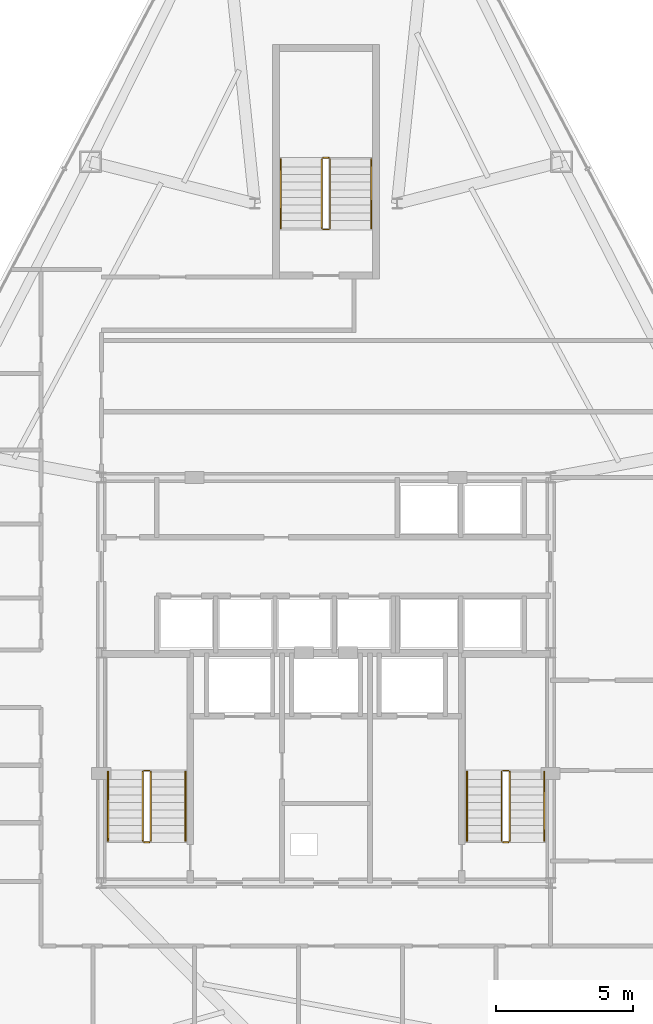
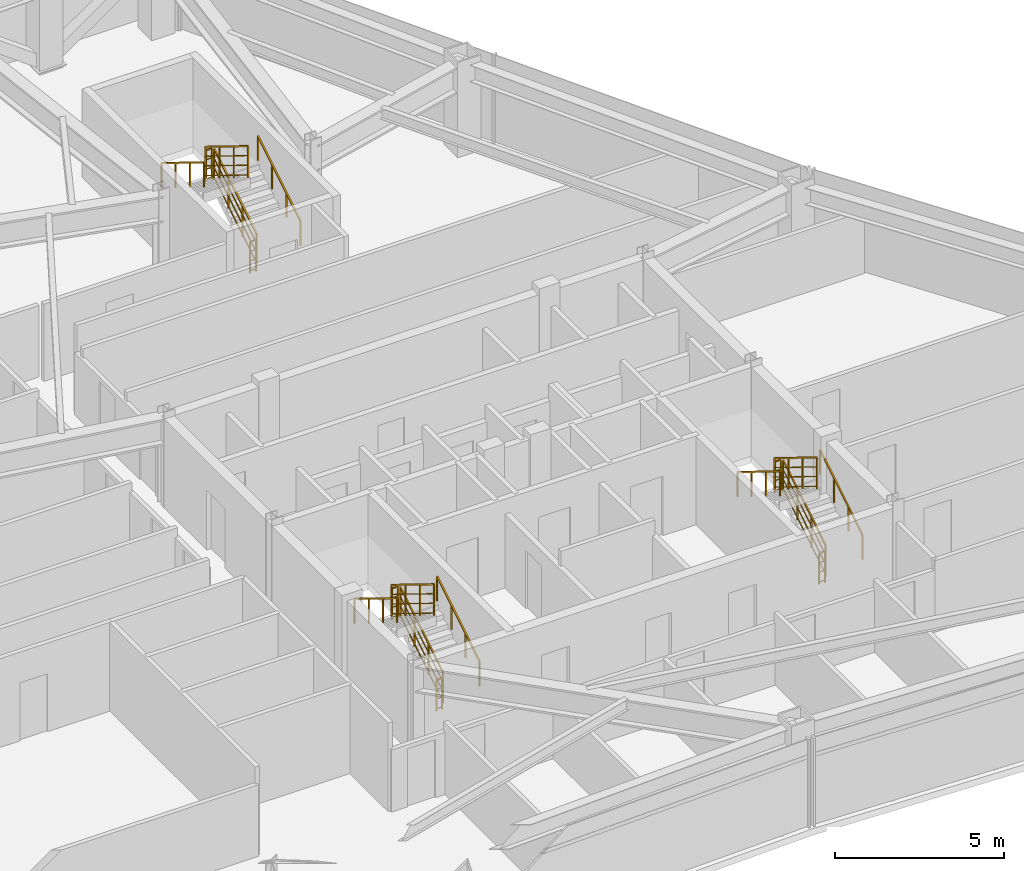
# One storey, part 13 of 13: 18 railings.
"""IFC4 building model written with IfcOpenShell, lengths in metres."""

from ifc_helpers import new_model, si_unit, direction, frame, origin, origin_2d, place, context, subcontext, project, spatial, rectangle, extrude, material, type_object, element, save


model = new_model("IFC4")

# Units and contexts
model_context = context("Model", 3, precision=1e-05, world=origin(), true_north=direction((0.0, 1.0)))
body_context = subcontext(model_context, "Body", "Model", "MODEL_VIEW")
ifc_project = project(units=[si_unit("LENGTHUNIT", "METRE"), si_unit("AREAUNIT", "SQUARE_METRE"), si_unit("VOLUMEUNIT", "CUBIC_METRE"), si_unit("PLANEANGLEUNIT", "RADIAN"), si_unit("MASSUNIT", "GRAM", prefix="KILO")], contexts=[model_context])

# Site, building, storey
site_placement = place(None, origin())
site = spatial("IfcSite", under=ifc_project, at=site_placement, CompositionType="ELEMENT")
building_placement = place(site_placement, origin())
building = spatial("IfcBuilding", under=site, at=building_placement, Name="Varakhsha Concourse Tower", CompositionType="ELEMENT")
storey_placement = place(building_placement, frame((0.0, 0.0, 172.35009765625)))
storey = spatial("IfcBuildingStorey", under=building, at=storey_placement, Name="L49", CompositionType="ELEMENT", Elevation=172.35009765625)

# Railings
ifc_material = material(Name="Brushed Austenitic Stainless Steel AISI 316", Category="steel")
railing_type_1 = type_object("IfcRailingType", Name="RL-STAIR-GUARD-1100", PredefinedType="GUARDRAIL", material=ifc_material)
railing_1_placement = place(storey_placement, frame((33.610107421875, 17.93994140625, 0.17236328125)))
element("IfcRailing", 1, at=railing_1_placement, inside=storey, type_object=railing_type_1, Name="L49 ST1 stair guard 1", PredefinedType="GUARDRAIL", context=body_context, shape_type="SweptSolid", body=[
    extrude(rectangle(XDim=0.048095703125, YDim=0.048095703125, at=origin_2d()), frame((0.0, 0.0, 1.1259765625), z_axis=(0.0, 0.851400495292, 0.524516154772), x_axis=(-1.0, 0.0, 0.0)), (0.0, 0.0, 1.0), 2.9599609375),
    extrude(rectangle(XDim=0.028076171875, YDim=0.028076171875, at=origin_2d()), frame((0.0, 0.0, 0.080078125), z_axis=(0.0, 0.851400495292, 0.524516154772), x_axis=(-1.0, 0.0, 0.0)), (0.0, 0.0, 1.0), 2.9599609375),
    extrude(rectangle(XDim=0.028076171875, YDim=0.028076171875, at=origin_2d()), frame((0.0, 0.0, 0.43701171875), z_axis=(0.0, 0.851400495292, 0.524516154772), x_axis=(-1.0, 0.0, 0.0)), (0.0, 0.0, 1.0), 2.9599609375),
    extrude(rectangle(XDim=0.028076171875, YDim=0.028076171875, at=origin_2d()), frame((0.0, 0.0, 0.781982421875), z_axis=(0.0, 0.851400495292, 0.524516154772), x_axis=(-1.0, 0.0, 0.0)), (0.0, 0.0, 1.0), 2.9599609375),
    extrude(rectangle(XDim=0.0419921875, YDim=0.0419921875, at=origin_2d()), origin(), (0.0, 0.0, 1.0), 1.101806640625),
    extrude(rectangle(XDim=0.0419921875, YDim=0.0419921875, at=origin_2d()), frame((0.0, 0.840087890625, 0.517578125)), (0.0, 0.0, 1.0), 1.101806640625),
    extrude(rectangle(XDim=0.0419921875, YDim=0.0419921875, at=origin_2d()), frame((0.0, 1.679931640625, 1.034912109375)), (0.0, 0.0, 1.0), 1.101806640625),
    extrude(rectangle(XDim=0.0419921875, YDim=0.0419921875, at=origin_2d()), frame((0.0, 2.52001953125, 1.552490234375)), (0.0, 0.0, 1.0), 1.101806640625),
])
railing_2_placement = place(storey_placement, frame((33.56005859375, 20.510009765625, 1.724853515625)))
element("IfcRailing", 2, at=railing_2_placement, inside=storey, type_object=railing_type_1, Name="L49 ST1 stair guard 2", PredefinedType="GUARDRAIL", context=body_context, shape_type="SweptSolid", body=[
    extrude(rectangle(XDim=0.048095703125, YDim=0.048095703125, at=origin_2d()), frame((0.0, 0.0, 1.1259765625), z_axis=(-1.0, 0.0, 0.0), x_axis=(0.0, -1.0, 0.0)), (0.0, 0.0, 1.0), 0.199951171875),
    extrude(rectangle(XDim=0.028076171875, YDim=0.028076171875, at=origin_2d()), frame((0.0, 0.0, 0.080078125), z_axis=(-1.0, 0.0, 0.0), x_axis=(0.0, -1.0, 0.0)), (0.0, 0.0, 1.0), 0.199951171875),
    extrude(rectangle(XDim=0.028076171875, YDim=0.028076171875, at=origin_2d()), frame((0.0, 0.0, 0.43701171875), z_axis=(-1.0, 0.0, 0.0), x_axis=(0.0, -1.0, 0.0)), (0.0, 0.0, 1.0), 0.199951171875),
    extrude(rectangle(XDim=0.028076171875, YDim=0.028076171875, at=origin_2d()), frame((0.0, 0.0, 0.781982421875), z_axis=(-1.0, 0.0, 0.0), x_axis=(0.0, -1.0, 0.0)), (0.0, 0.0, 1.0), 0.199951171875),
    extrude(rectangle(XDim=0.0419921875, YDim=0.0419921875, at=origin_2d()), origin(), (0.0, 0.0, 1.0), 1.101806640625),
    extrude(rectangle(XDim=0.0419921875, YDim=0.0419921875, at=origin_2d()), frame((-0.199951171875, 0.0, 0.0)), (0.0, 0.0, 1.0), 1.101806640625),
])
railing_3_placement = place(storey_placement, frame((33.31005859375, 20.4599609375, 1.8974609375)))
element("IfcRailing", 3, at=railing_3_placement, inside=storey, type_object=railing_type_1, Name="L49 ST1 stair guard 3", PredefinedType="GUARDRAIL", context=body_context, shape_type="SweptSolid", body=[
    extrude(rectangle(XDim=0.048095703125, YDim=0.048095703125, at=origin_2d()), frame((0.0, 0.0, 1.1259765625), z_axis=(0.0, -0.851400495292, 0.524516154772), x_axis=(1.0, 0.0, 0.0)), (0.0, 0.0, 1.0), 2.9599609375),
    extrude(rectangle(XDim=0.028076171875, YDim=0.028076171875, at=origin_2d()), frame((0.0, 0.0, 0.080078125), z_axis=(0.0, -0.851400495292, 0.524516154772), x_axis=(1.0, 0.0, 0.0)), (0.0, 0.0, 1.0), 2.9599609375),
    extrude(rectangle(XDim=0.028076171875, YDim=0.028076171875, at=origin_2d()), frame((0.0, 0.0, 0.43701171875), z_axis=(0.0, -0.851400495292, 0.524516154772), x_axis=(1.0, 0.0, 0.0)), (0.0, 0.0, 1.0), 2.9599609375),
    extrude(rectangle(XDim=0.028076171875, YDim=0.028076171875, at=origin_2d()), frame((0.0, 0.0, 0.781982421875), z_axis=(0.0, -0.851400495292, 0.524516154772), x_axis=(1.0, 0.0, 0.0)), (0.0, 0.0, 1.0), 2.9599609375),
    extrude(rectangle(XDim=0.0419921875, YDim=0.0419921875, at=origin_2d()), origin(), (0.0, 0.0, 1.0), 1.101806640625),
    extrude(rectangle(XDim=0.0419921875, YDim=0.0419921875, at=origin_2d()), frame((0.0, -0.840087890625, 0.517578125)), (0.0, 0.0, 1.0), 1.101806640625),
    extrude(rectangle(XDim=0.0419921875, YDim=0.0419921875, at=origin_2d()), frame((0.0, -1.679931640625, 1.034912109375)), (0.0, 0.0, 1.0), 1.101806640625),
    extrude(rectangle(XDim=0.0419921875, YDim=0.0419921875, at=origin_2d()), frame((0.0, -2.52001953125, 1.552490234375)), (0.0, 0.0, 1.0), 1.101806640625),
])
railing_4_placement = place(storey_placement, frame((33.56005859375, 17.889892578125, 0.0)))
element("IfcRailing", 4, at=railing_4_placement, inside=storey, type_object=railing_type_1, Name="L49 ST1 stair guard 4", PredefinedType="GUARDRAIL", context=body_context, shape_type="SweptSolid", body=[
    extrude(rectangle(XDim=0.048095703125, YDim=0.048095703125, at=origin_2d()), frame((0.0, 0.0, 1.1259765625), z_axis=(-1.0, 0.0, 0.0), x_axis=(0.0, -1.0, 0.0)), (0.0, 0.0, 1.0), 0.199951171875),
    extrude(rectangle(XDim=0.028076171875, YDim=0.028076171875, at=origin_2d()), frame((0.0, 0.0, 0.080078125), z_axis=(-1.0, 0.0, 0.0), x_axis=(0.0, -1.0, 0.0)), (0.0, 0.0, 1.0), 0.199951171875),
    extrude(rectangle(XDim=0.028076171875, YDim=0.028076171875, at=origin_2d()), frame((0.0, 0.0, 0.43701171875), z_axis=(-1.0, 0.0, 0.0), x_axis=(0.0, -1.0, 0.0)), (0.0, 0.0, 1.0), 0.199951171875),
    extrude(rectangle(XDim=0.028076171875, YDim=0.028076171875, at=origin_2d()), frame((0.0, 0.0, 0.781982421875), z_axis=(-1.0, 0.0, 0.0), x_axis=(0.0, -1.0, 0.0)), (0.0, 0.0, 1.0), 0.199951171875),
    extrude(rectangle(XDim=0.0419921875, YDim=0.0419921875, at=origin_2d()), origin(), (0.0, 0.0, 1.0), 1.101806640625),
    extrude(rectangle(XDim=0.0419921875, YDim=0.0419921875, at=origin_2d()), frame((-0.199951171875, 0.0, 0.0)), (0.0, 0.0, 1.0), 1.101806640625),
])
railing_5_placement = place(storey_placement, frame((46.7099609375, 17.93994140625, 0.17236328125)))
element("IfcRailing", 5, at=railing_5_placement, inside=storey, type_object=railing_type_1, Name="L49 ST2 stair guard 1", PredefinedType="GUARDRAIL", context=body_context, shape_type="SweptSolid", body=[
    extrude(rectangle(XDim=0.048095703125, YDim=0.048095703125, at=origin_2d()), frame((0.0, 0.0, 1.1259765625), z_axis=(0.0, 0.851400495292, 0.524516154772), x_axis=(-1.0, 0.0, 0.0)), (0.0, 0.0, 1.0), 2.9599609375),
    extrude(rectangle(XDim=0.028076171875, YDim=0.028076171875, at=origin_2d()), frame((0.0, 0.0, 0.080078125), z_axis=(0.0, 0.851400495292, 0.524516154772), x_axis=(-1.0, 0.0, 0.0)), (0.0, 0.0, 1.0), 2.9599609375),
    extrude(rectangle(XDim=0.028076171875, YDim=0.028076171875, at=origin_2d()), frame((0.0, 0.0, 0.43701171875), z_axis=(0.0, 0.851400495292, 0.524516154772), x_axis=(-1.0, 0.0, 0.0)), (0.0, 0.0, 1.0), 2.9599609375),
    extrude(rectangle(XDim=0.028076171875, YDim=0.028076171875, at=origin_2d()), frame((0.0, 0.0, 0.781982421875), z_axis=(0.0, 0.851400495292, 0.524516154772), x_axis=(-1.0, 0.0, 0.0)), (0.0, 0.0, 1.0), 2.9599609375),
    extrude(rectangle(XDim=0.0419921875, YDim=0.0419921875, at=origin_2d()), origin(), (0.0, 0.0, 1.0), 1.101806640625),
    extrude(rectangle(XDim=0.0419921875, YDim=0.0419921875, at=origin_2d()), frame((0.0, 0.840087890625, 0.517578125)), (0.0, 0.0, 1.0), 1.101806640625),
    extrude(rectangle(XDim=0.0419921875, YDim=0.0419921875, at=origin_2d()), frame((0.0, 1.679931640625, 1.034912109375)), (0.0, 0.0, 1.0), 1.101806640625),
    extrude(rectangle(XDim=0.0419921875, YDim=0.0419921875, at=origin_2d()), frame((0.0, 2.52001953125, 1.552490234375)), (0.0, 0.0, 1.0), 1.101806640625),
])
railing_6_placement = place(storey_placement, frame((46.659912109375, 20.510009765625, 1.724853515625)))
element("IfcRailing", 6, at=railing_6_placement, inside=storey, type_object=railing_type_1, Name="L49 ST2 stair guard 2", PredefinedType="GUARDRAIL", context=body_context, shape_type="SweptSolid", body=[
    extrude(rectangle(XDim=0.048095703125, YDim=0.048095703125, at=origin_2d()), frame((0.0, 0.0, 1.1259765625), z_axis=(-1.0, 0.0, 0.0), x_axis=(0.0, -1.0, 0.0)), (0.0, 0.0, 1.0), 0.199951171875),
    extrude(rectangle(XDim=0.028076171875, YDim=0.028076171875, at=origin_2d()), frame((0.0, 0.0, 0.080078125), z_axis=(-1.0, 0.0, 0.0), x_axis=(0.0, -1.0, 0.0)), (0.0, 0.0, 1.0), 0.199951171875),
    extrude(rectangle(XDim=0.028076171875, YDim=0.028076171875, at=origin_2d()), frame((0.0, 0.0, 0.43701171875), z_axis=(-1.0, 0.0, 0.0), x_axis=(0.0, -1.0, 0.0)), (0.0, 0.0, 1.0), 0.199951171875),
    extrude(rectangle(XDim=0.028076171875, YDim=0.028076171875, at=origin_2d()), frame((0.0, 0.0, 0.781982421875), z_axis=(-1.0, 0.0, 0.0), x_axis=(0.0, -1.0, 0.0)), (0.0, 0.0, 1.0), 0.199951171875),
    extrude(rectangle(XDim=0.0419921875, YDim=0.0419921875, at=origin_2d()), origin(), (0.0, 0.0, 1.0), 1.101806640625),
    extrude(rectangle(XDim=0.0419921875, YDim=0.0419921875, at=origin_2d()), frame((-0.199951171875, 0.0, 0.0)), (0.0, 0.0, 1.0), 1.101806640625),
])
railing_7_placement = place(storey_placement, frame((46.409912109375, 20.4599609375, 1.8974609375)))
element("IfcRailing", 7, at=railing_7_placement, inside=storey, type_object=railing_type_1, Name="L49 ST2 stair guard 3", PredefinedType="GUARDRAIL", context=body_context, shape_type="SweptSolid", body=[
    extrude(rectangle(XDim=0.048095703125, YDim=0.048095703125, at=origin_2d()), frame((0.0, 0.0, 1.1259765625), z_axis=(0.0, -0.851400495292, 0.524516154772), x_axis=(1.0, 0.0, 0.0)), (0.0, 0.0, 1.0), 2.9599609375),
    extrude(rectangle(XDim=0.028076171875, YDim=0.028076171875, at=origin_2d()), frame((0.0, 0.0, 0.080078125), z_axis=(0.0, -0.851400495292, 0.524516154772), x_axis=(1.0, 0.0, 0.0)), (0.0, 0.0, 1.0), 2.9599609375),
    extrude(rectangle(XDim=0.028076171875, YDim=0.028076171875, at=origin_2d()), frame((0.0, 0.0, 0.43701171875), z_axis=(0.0, -0.851400495292, 0.524516154772), x_axis=(1.0, 0.0, 0.0)), (0.0, 0.0, 1.0), 2.9599609375),
    extrude(rectangle(XDim=0.028076171875, YDim=0.028076171875, at=origin_2d()), frame((0.0, 0.0, 0.781982421875), z_axis=(0.0, -0.851400495292, 0.524516154772), x_axis=(1.0, 0.0, 0.0)), (0.0, 0.0, 1.0), 2.9599609375),
    extrude(rectangle(XDim=0.0419921875, YDim=0.0419921875, at=origin_2d()), origin(), (0.0, 0.0, 1.0), 1.101806640625),
    extrude(rectangle(XDim=0.0419921875, YDim=0.0419921875, at=origin_2d()), frame((0.0, -0.840087890625, 0.517578125)), (0.0, 0.0, 1.0), 1.101806640625),
    extrude(rectangle(XDim=0.0419921875, YDim=0.0419921875, at=origin_2d()), frame((0.0, -1.679931640625, 1.034912109375)), (0.0, 0.0, 1.0), 1.101806640625),
    extrude(rectangle(XDim=0.0419921875, YDim=0.0419921875, at=origin_2d()), frame((0.0, -2.52001953125, 1.552490234375)), (0.0, 0.0, 1.0), 1.101806640625),
])
railing_8_placement = place(storey_placement, frame((46.659912109375, 17.889892578125, 0.0)))
element("IfcRailing", 8, at=railing_8_placement, inside=storey, type_object=railing_type_1, Name="L49 ST2 stair guard 4", PredefinedType="GUARDRAIL", context=body_context, shape_type="SweptSolid", body=[
    extrude(rectangle(XDim=0.048095703125, YDim=0.048095703125, at=origin_2d()), frame((0.0, 0.0, 1.1259765625), z_axis=(-1.0, 0.0, 0.0), x_axis=(0.0, -1.0, 0.0)), (0.0, 0.0, 1.0), 0.199951171875),
    extrude(rectangle(XDim=0.028076171875, YDim=0.028076171875, at=origin_2d()), frame((0.0, 0.0, 0.080078125), z_axis=(-1.0, 0.0, 0.0), x_axis=(0.0, -1.0, 0.0)), (0.0, 0.0, 1.0), 0.199951171875),
    extrude(rectangle(XDim=0.028076171875, YDim=0.028076171875, at=origin_2d()), frame((0.0, 0.0, 0.43701171875), z_axis=(-1.0, 0.0, 0.0), x_axis=(0.0, -1.0, 0.0)), (0.0, 0.0, 1.0), 0.199951171875),
    extrude(rectangle(XDim=0.028076171875, YDim=0.028076171875, at=origin_2d()), frame((0.0, 0.0, 0.781982421875), z_axis=(-1.0, 0.0, 0.0), x_axis=(0.0, -1.0, 0.0)), (0.0, 0.0, 1.0), 0.199951171875),
    extrude(rectangle(XDim=0.0419921875, YDim=0.0419921875, at=origin_2d()), origin(), (0.0, 0.0, 1.0), 1.101806640625),
    extrude(rectangle(XDim=0.0419921875, YDim=0.0419921875, at=origin_2d()), frame((-0.199951171875, 0.0, 0.0)), (0.0, 0.0, 1.0), 1.101806640625),
])
railing_9_placement = place(storey_placement, frame((40.14990234375, 40.300048828125, 0.17236328125)))
element("IfcRailing", 9, at=railing_9_placement, inside=storey, type_object=railing_type_1, Name="L49 ST5 stair guard 1", PredefinedType="GUARDRAIL", context=body_context, shape_type="SweptSolid", body=[
    extrude(rectangle(XDim=0.048095703125, YDim=0.048095703125, at=origin_2d()), frame((0.0, 0.0, 1.1259765625), z_axis=(0.0, 0.851400495292, 0.524516154772), x_axis=(-1.0, 0.0, 0.0)), (0.0, 0.0, 1.0), 2.9599609375),
    extrude(rectangle(XDim=0.028076171875, YDim=0.028076171875, at=origin_2d()), frame((0.0, 0.0, 0.080078125), z_axis=(0.0, 0.851400495292, 0.524516154772), x_axis=(-1.0, 0.0, 0.0)), (0.0, 0.0, 1.0), 2.9599609375),
    extrude(rectangle(XDim=0.028076171875, YDim=0.028076171875, at=origin_2d()), frame((0.0, 0.0, 0.43701171875), z_axis=(0.0, 0.851400495292, 0.524516154772), x_axis=(-1.0, 0.0, 0.0)), (0.0, 0.0, 1.0), 2.9599609375),
    extrude(rectangle(XDim=0.028076171875, YDim=0.028076171875, at=origin_2d()), frame((0.0, 0.0, 0.781982421875), z_axis=(0.0, 0.851400495292, 0.524516154772), x_axis=(-1.0, 0.0, 0.0)), (0.0, 0.0, 1.0), 2.9599609375),
    extrude(rectangle(XDim=0.0419921875, YDim=0.0419921875, at=origin_2d()), origin(), (0.0, 0.0, 1.0), 1.101806640625),
    extrude(rectangle(XDim=0.0419921875, YDim=0.0419921875, at=origin_2d()), frame((0.0, 0.840087890625, 0.517578125)), (0.0, 0.0, 1.0), 1.101806640625),
    extrude(rectangle(XDim=0.0419921875, YDim=0.0419921875, at=origin_2d()), frame((0.0, 1.679931640625, 1.034912109375)), (0.0, 0.0, 1.0), 1.101806640625),
    extrude(rectangle(XDim=0.0419921875, YDim=0.0419921875, at=origin_2d()), frame((0.0, 2.52001953125, 1.552490234375)), (0.0, 0.0, 1.0), 1.101806640625),
])
railing_10_placement = place(storey_placement, frame((40.10009765625, 42.8701171875, 1.724853515625)))
element("IfcRailing", 10, at=railing_10_placement, inside=storey, type_object=railing_type_1, Name="L49 ST5 stair guard 2", PredefinedType="GUARDRAIL", context=body_context, shape_type="SweptSolid", body=[
    extrude(rectangle(XDim=0.048095703125, YDim=0.048095703125, at=origin_2d()), frame((0.0, 0.0, 1.1259765625), z_axis=(-1.0, 0.0, 0.0), x_axis=(0.0, -1.0, 0.0)), (0.0, 0.0, 1.0), 0.2001953125),
    extrude(rectangle(XDim=0.028076171875, YDim=0.028076171875, at=origin_2d()), frame((0.0, 0.0, 0.080078125), z_axis=(-1.0, 0.0, 0.0), x_axis=(0.0, -1.0, 0.0)), (0.0, 0.0, 1.0), 0.2001953125),
    extrude(rectangle(XDim=0.028076171875, YDim=0.028076171875, at=origin_2d()), frame((0.0, 0.0, 0.43701171875), z_axis=(-1.0, 0.0, 0.0), x_axis=(0.0, -1.0, 0.0)), (0.0, 0.0, 1.0), 0.2001953125),
    extrude(rectangle(XDim=0.028076171875, YDim=0.028076171875, at=origin_2d()), frame((0.0, 0.0, 0.781982421875), z_axis=(-1.0, 0.0, 0.0), x_axis=(0.0, -1.0, 0.0)), (0.0, 0.0, 1.0), 0.2001953125),
    extrude(rectangle(XDim=0.0419921875, YDim=0.0419921875, at=origin_2d()), origin(), (0.0, 0.0, 1.0), 1.101806640625),
    extrude(rectangle(XDim=0.0419921875, YDim=0.0419921875, at=origin_2d()), frame((-0.2001953125, 0.0, 0.0)), (0.0, 0.0, 1.0), 1.101806640625),
])
railing_11_placement = place(storey_placement, frame((39.85009765625, 42.820068359375, 1.8974609375)))
element("IfcRailing", 11, at=railing_11_placement, inside=storey, type_object=railing_type_1, Name="L49 ST5 stair guard 3", PredefinedType="GUARDRAIL", context=body_context, shape_type="SweptSolid", body=[
    extrude(rectangle(XDim=0.048095703125, YDim=0.048095703125, at=origin_2d()), frame((0.0, 0.0, 1.1259765625), z_axis=(0.0, -0.851400495292, 0.524516154772), x_axis=(1.0, 0.0, 0.0)), (0.0, 0.0, 1.0), 2.9599609375),
    extrude(rectangle(XDim=0.028076171875, YDim=0.028076171875, at=origin_2d()), frame((0.0, 0.0, 0.080078125), z_axis=(0.0, -0.851400495292, 0.524516154772), x_axis=(1.0, 0.0, 0.0)), (0.0, 0.0, 1.0), 2.9599609375),
    extrude(rectangle(XDim=0.028076171875, YDim=0.028076171875, at=origin_2d()), frame((0.0, 0.0, 0.43701171875), z_axis=(0.0, -0.851400495292, 0.524516154772), x_axis=(1.0, 0.0, 0.0)), (0.0, 0.0, 1.0), 2.9599609375),
    extrude(rectangle(XDim=0.028076171875, YDim=0.028076171875, at=origin_2d()), frame((0.0, 0.0, 0.781982421875), z_axis=(0.0, -0.851400495292, 0.524516154772), x_axis=(1.0, 0.0, 0.0)), (0.0, 0.0, 1.0), 2.9599609375),
    extrude(rectangle(XDim=0.0419921875, YDim=0.0419921875, at=origin_2d()), origin(), (0.0, 0.0, 1.0), 1.101806640625),
    extrude(rectangle(XDim=0.0419921875, YDim=0.0419921875, at=origin_2d()), frame((0.0, -0.840087890625, 0.517578125)), (0.0, 0.0, 1.0), 1.101806640625),
    extrude(rectangle(XDim=0.0419921875, YDim=0.0419921875, at=origin_2d()), frame((0.0, -1.679931640625, 1.034912109375)), (0.0, 0.0, 1.0), 1.101806640625),
    extrude(rectangle(XDim=0.0419921875, YDim=0.0419921875, at=origin_2d()), frame((0.0, -2.52001953125, 1.552490234375)), (0.0, 0.0, 1.0), 1.101806640625),
])
railing_12_placement = place(storey_placement, frame((40.10009765625, 40.25, 0.0)))
element("IfcRailing", 12, at=railing_12_placement, inside=storey, type_object=railing_type_1, Name="L49 ST5 stair guard 4", PredefinedType="GUARDRAIL", context=body_context, shape_type="SweptSolid", body=[
    extrude(rectangle(XDim=0.048095703125, YDim=0.048095703125, at=origin_2d()), frame((0.0, 0.0, 1.1259765625), z_axis=(-1.0, 0.0, 0.0), x_axis=(0.0, -1.0, 0.0)), (0.0, 0.0, 1.0), 0.2001953125),
    extrude(rectangle(XDim=0.028076171875, YDim=0.028076171875, at=origin_2d()), frame((0.0, 0.0, 0.080078125), z_axis=(-1.0, 0.0, 0.0), x_axis=(0.0, -1.0, 0.0)), (0.0, 0.0, 1.0), 0.2001953125),
    extrude(rectangle(XDim=0.028076171875, YDim=0.028076171875, at=origin_2d()), frame((0.0, 0.0, 0.43701171875), z_axis=(-1.0, 0.0, 0.0), x_axis=(0.0, -1.0, 0.0)), (0.0, 0.0, 1.0), 0.2001953125),
    extrude(rectangle(XDim=0.028076171875, YDim=0.028076171875, at=origin_2d()), frame((0.0, 0.0, 0.781982421875), z_axis=(-1.0, 0.0, 0.0), x_axis=(0.0, -1.0, 0.0)), (0.0, 0.0, 1.0), 0.2001953125),
    extrude(rectangle(XDim=0.0419921875, YDim=0.0419921875, at=origin_2d()), origin(), (0.0, 0.0, 1.0), 1.101806640625),
    extrude(rectangle(XDim=0.0419921875, YDim=0.0419921875, at=origin_2d()), frame((-0.2001953125, 0.0, 0.0)), (0.0, 0.0, 1.0), 1.101806640625),
])
railing_type_2 = type_object("IfcRailingType", Name="RL-STAIR-RAIL-915", PredefinedType="HANDRAIL", material=ifc_material)
railing_13_placement = place(storey_placement, frame((34.8701171875, 17.93994140625, 0.344970703125)))
element("IfcRailing", 13, at=railing_13_placement, inside=storey, type_object=railing_type_2, Name="L49 ST1 stair handrail 1", PredefinedType="HANDRAIL", context=body_context, shape_type="SweptSolid", body=[
    extrude(rectangle(XDim=0.048095703125, YDim=0.048095703125, at=origin_2d()), frame((0.0, 0.0, 0.89111328125), z_axis=(0.0, 0.851400495292, 0.524516154772), x_axis=(-1.0, 0.0, 0.0)), (0.0, 0.0, 1.0), 2.9599609375),
    extrude(rectangle(XDim=0.0419921875, YDim=0.0419921875, at=origin_2d()), origin(), (0.0, 0.0, 1.0), 0.866943359375),
    extrude(rectangle(XDim=0.0419921875, YDim=0.0419921875, at=origin_2d()), frame((0.0, 0.840087890625, 0.517578125)), (0.0, 0.0, 1.0), 0.866943359375),
    extrude(rectangle(XDim=0.0419921875, YDim=0.0419921875, at=origin_2d()), frame((0.0, 1.679931640625, 1.034912109375)), (0.0, 0.0, 1.0), 0.866943359375),
    extrude(rectangle(XDim=0.0419921875, YDim=0.0419921875, at=origin_2d()), frame((0.0, 2.52001953125, 1.552490234375)), (0.0, 0.0, 1.0), 0.866943359375),
])
railing_14_placement = place(storey_placement, frame((32.050048828125, 20.4599609375, 2.06982421875)))
element("IfcRailing", 14, at=railing_14_placement, inside=storey, type_object=railing_type_2, Name="L49 ST1 stair handrail 2", PredefinedType="HANDRAIL", context=body_context, shape_type="SweptSolid", body=[
    extrude(rectangle(XDim=0.048095703125, YDim=0.048095703125, at=origin_2d()), frame((0.0, 0.0, 0.89111328125), z_axis=(0.0, -0.851400495292, 0.524516154772), x_axis=(1.0, 0.0, 0.0)), (0.0, 0.0, 1.0), 2.9599609375),
    extrude(rectangle(XDim=0.0419921875, YDim=0.0419921875, at=origin_2d()), origin(), (0.0, 0.0, 1.0), 0.866943359375),
    extrude(rectangle(XDim=0.0419921875, YDim=0.0419921875, at=origin_2d()), frame((0.0, -0.840087890625, 0.517578125)), (0.0, 0.0, 1.0), 0.866943359375),
    extrude(rectangle(XDim=0.0419921875, YDim=0.0419921875, at=origin_2d()), frame((0.0, -1.679931640625, 1.034912109375)), (0.0, 0.0, 1.0), 0.866943359375),
    extrude(rectangle(XDim=0.0419921875, YDim=0.0419921875, at=origin_2d()), frame((0.0, -2.52001953125, 1.552490234375)), (0.0, 0.0, 1.0), 0.866943359375),
])
railing_15_placement = place(storey_placement, frame((47.969970703125, 17.93994140625, 0.344970703125)))
element("IfcRailing", 15, at=railing_15_placement, inside=storey, type_object=railing_type_2, Name="L49 ST2 stair handrail 1", PredefinedType="HANDRAIL", context=body_context, shape_type="SweptSolid", body=[
    extrude(rectangle(XDim=0.048095703125, YDim=0.048095703125, at=origin_2d()), frame((0.0, 0.0, 0.89111328125), z_axis=(0.0, 0.851400495292, 0.524516154772), x_axis=(-1.0, 0.0, 0.0)), (0.0, 0.0, 1.0), 2.9599609375),
    extrude(rectangle(XDim=0.0419921875, YDim=0.0419921875, at=origin_2d()), origin(), (0.0, 0.0, 1.0), 0.866943359375),
    extrude(rectangle(XDim=0.0419921875, YDim=0.0419921875, at=origin_2d()), frame((0.0, 0.840087890625, 0.517578125)), (0.0, 0.0, 1.0), 0.866943359375),
    extrude(rectangle(XDim=0.0419921875, YDim=0.0419921875, at=origin_2d()), frame((0.0, 1.679931640625, 1.034912109375)), (0.0, 0.0, 1.0), 0.866943359375),
    extrude(rectangle(XDim=0.0419921875, YDim=0.0419921875, at=origin_2d()), frame((0.0, 2.52001953125, 1.552490234375)), (0.0, 0.0, 1.0), 0.866943359375),
])
railing_16_placement = place(storey_placement, frame((45.14990234375, 20.4599609375, 2.06982421875)))
element("IfcRailing", 16, at=railing_16_placement, inside=storey, type_object=railing_type_2, Name="L49 ST2 stair handrail 2", PredefinedType="HANDRAIL", context=body_context, shape_type="SweptSolid", body=[
    extrude(rectangle(XDim=0.048095703125, YDim=0.048095703125, at=origin_2d()), frame((0.0, 0.0, 0.89111328125), z_axis=(0.0, -0.851400495292, 0.524516154772), x_axis=(1.0, 0.0, 0.0)), (0.0, 0.0, 1.0), 2.9599609375),
    extrude(rectangle(XDim=0.0419921875, YDim=0.0419921875, at=origin_2d()), origin(), (0.0, 0.0, 1.0), 0.866943359375),
    extrude(rectangle(XDim=0.0419921875, YDim=0.0419921875, at=origin_2d()), frame((0.0, -0.840087890625, 0.517578125)), (0.0, 0.0, 1.0), 0.866943359375),
    extrude(rectangle(XDim=0.0419921875, YDim=0.0419921875, at=origin_2d()), frame((0.0, -1.679931640625, 1.034912109375)), (0.0, 0.0, 1.0), 0.866943359375),
    extrude(rectangle(XDim=0.0419921875, YDim=0.0419921875, at=origin_2d()), frame((0.0, -2.52001953125, 1.552490234375)), (0.0, 0.0, 1.0), 0.866943359375),
])
railing_17_placement = place(storey_placement, frame((41.64990234375, 40.300048828125, 0.344970703125)))
element("IfcRailing", 17, at=railing_17_placement, inside=storey, type_object=railing_type_2, Name="L49 ST5 stair handrail 1", PredefinedType="HANDRAIL", context=body_context, shape_type="SweptSolid", body=[
    extrude(rectangle(XDim=0.048095703125, YDim=0.048095703125, at=origin_2d()), frame((0.0, 0.0, 0.89111328125), z_axis=(0.0, 0.851400495292, 0.524516154772), x_axis=(-1.0, 0.0, 0.0)), (0.0, 0.0, 1.0), 2.9599609375),
    extrude(rectangle(XDim=0.0419921875, YDim=0.0419921875, at=origin_2d()), origin(), (0.0, 0.0, 1.0), 0.866943359375),
    extrude(rectangle(XDim=0.0419921875, YDim=0.0419921875, at=origin_2d()), frame((0.0, 0.840087890625, 0.517578125)), (0.0, 0.0, 1.0), 0.866943359375),
    extrude(rectangle(XDim=0.0419921875, YDim=0.0419921875, at=origin_2d()), frame((0.0, 1.679931640625, 1.034912109375)), (0.0, 0.0, 1.0), 0.866943359375),
    extrude(rectangle(XDim=0.0419921875, YDim=0.0419921875, at=origin_2d()), frame((0.0, 2.52001953125, 1.552490234375)), (0.0, 0.0, 1.0), 0.866943359375),
])
railing_18_placement = place(storey_placement, frame((38.35009765625, 42.820068359375, 2.06982421875)))
element("IfcRailing", 18, at=railing_18_placement, inside=storey, type_object=railing_type_2, Name="L49 ST5 stair handrail 2", PredefinedType="HANDRAIL", context=body_context, shape_type="SweptSolid", body=[
    extrude(rectangle(XDim=0.048095703125, YDim=0.048095703125, at=origin_2d()), frame((0.0, 0.0, 0.89111328125), z_axis=(0.0, -0.851400495292, 0.524516154772), x_axis=(1.0, 0.0, 0.0)), (0.0, 0.0, 1.0), 2.9599609375),
    extrude(rectangle(XDim=0.0419921875, YDim=0.0419921875, at=origin_2d()), origin(), (0.0, 0.0, 1.0), 0.866943359375),
    extrude(rectangle(XDim=0.0419921875, YDim=0.0419921875, at=origin_2d()), frame((0.0, -0.840087890625, 0.517578125)), (0.0, 0.0, 1.0), 0.866943359375),
    extrude(rectangle(XDim=0.0419921875, YDim=0.0419921875, at=origin_2d()), frame((0.0, -1.679931640625, 1.034912109375)), (0.0, 0.0, 1.0), 0.866943359375),
    extrude(rectangle(XDim=0.0419921875, YDim=0.0419921875, at=origin_2d()), frame((0.0, -2.52001953125, 1.552490234375)), (0.0, 0.0, 1.0), 0.866943359375),
])

save(model, "model.ifc")
